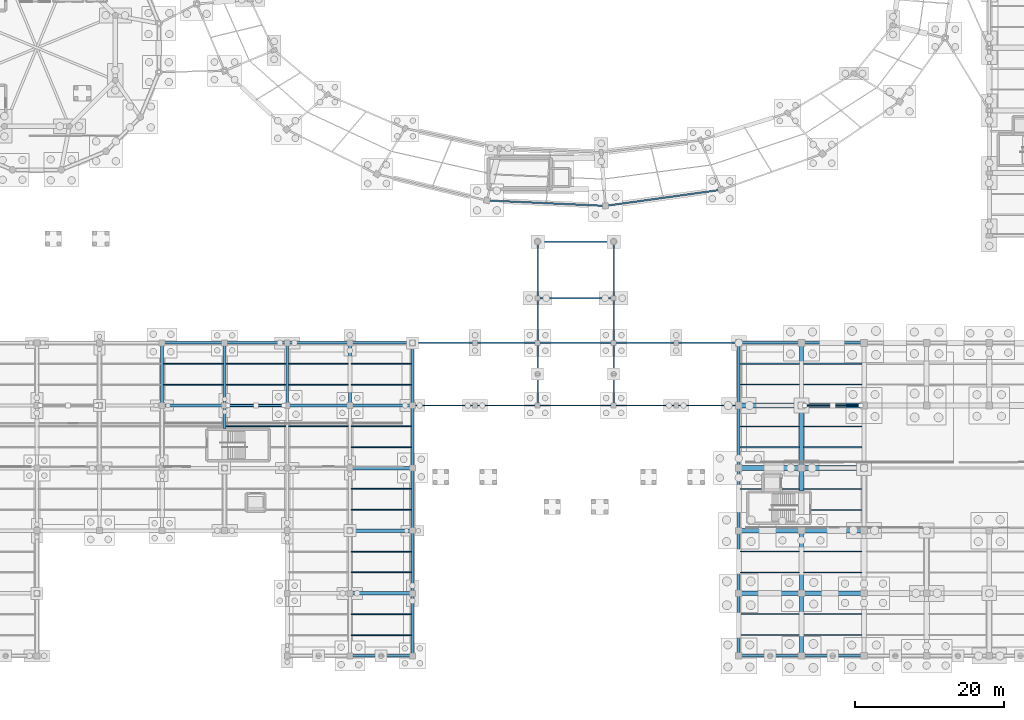
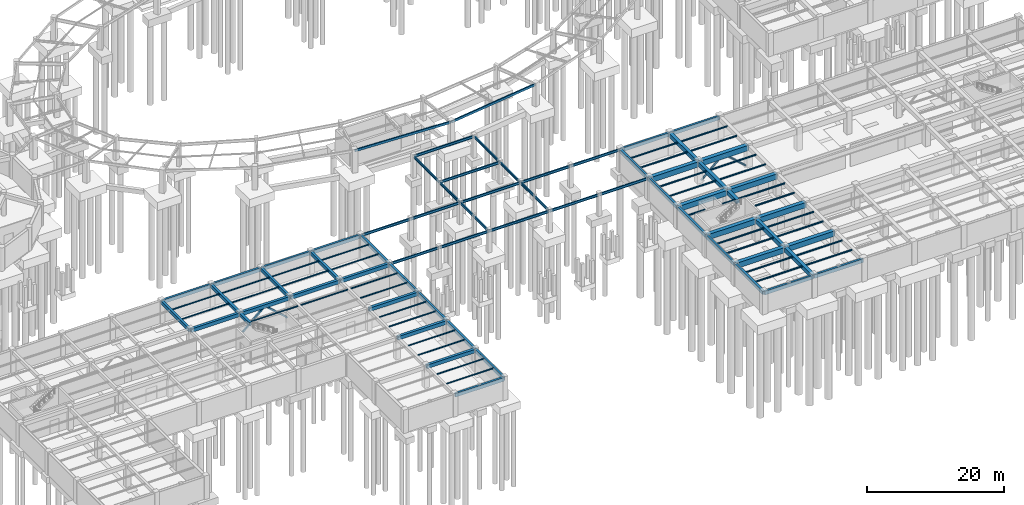
# One storey, part 16 of 38: 102 beams, 4 members.
"""IFC4 building model written with IfcOpenShell, lengths in metres."""

from ifc_helpers import new_model, si_unit, direction, frame, origin, origin_2d, place, context, subcontext, project, spatial, rectangle, hollow_rectangle, hollow_circle, i_section, extrude, material, material_profile, profile_set, type_object, element, save


model = new_model("IFC4")

# Units and contexts
model_context = context("Model", 3, precision=1e-05, world=origin(), true_north=direction((0.0, 1.0)))
body_context = subcontext(model_context, "Body", "Model", "MODEL_VIEW")
ifc_project = project(units=[si_unit("LENGTHUNIT", "METRE"), si_unit("AREAUNIT", "SQUARE_METRE"), si_unit("VOLUMEUNIT", "CUBIC_METRE"), si_unit("PLANEANGLEUNIT", "RADIAN"), si_unit("MASSUNIT", "GRAM", prefix="KILO"), si_unit("THERMODYNAMICTEMPERATUREUNIT", "KELVIN"), si_unit("POWERUNIT", "WATT")], contexts=[model_context])

# Site, building, storey
site_placement = place(None, origin())
site = spatial("IfcSite", under=ifc_project, at=site_placement, CompositionType="ELEMENT")
building_placement = place(site_placement, origin())
building = spatial("IfcBuilding", under=site, at=building_placement, Name="Darbajah Civic Hall", CompositionType="ELEMENT")
storey_placement = place(building_placement, frame((0.0, 0.0, -4.199951171875)))
storey = spatial("IfcBuildingStorey", under=building, at=storey_placement, Name="B01", CompositionType="ELEMENT", Elevation=-4.199951171875)

# Members
ifc_material_1 = material(Name="Steel S355JR", Category="steel")
ifc_material_profile_1 = material_profile(ifc_material_1, hollow_circle(Radius=0.161865234375, WallThickness=0.012451171875, at=origin_2d()), Name="CHS 323.9x12.5")
ifc_profile_set_1 = profile_set([ifc_material_profile_1], Name="Steel S355JR")
member_type_1 = type_object("IfcMemberType", Name="CHS 323.9x12.5", PredefinedType="BRACE", material=ifc_profile_set_1)
member_1_placement = place(storey_placement, frame((119.85009765625, 33.60009765625, 0.199951171875), z_axis=(0.742254478498, 0.0, 0.67011811582), x_axis=(0.0, 1.0, 0.0)))
element("IfcMember", 1, at=member_1_placement, inside=storey, type_object=member_type_1, Name="B01 lateral chevron brace BR-B01-1-L", PredefinedType="BRACE", context=body_context, shape_type="SweptSolid", body=[
    extrude(hollow_circle(Radius=0.161865234375, WallThickness=0.012451171875, at=origin_2d()), origin(), (0.0, 0.0, 1.0), 4.849853515625),
])
member_2_placement = place(storey_placement, frame((127.35009765625, 33.60009765625, 0.199951171875), z_axis=(-0.742277082557, 0.0, 0.670093077648), x_axis=(0.0, -1.0, 0.0)))
element("IfcMember", 2, at=member_2_placement, inside=storey, type_object=member_type_1, Name="B01 lateral chevron brace BR-B01-1-R", PredefinedType="BRACE", context=body_context, shape_type="SweptSolid", body=[
    extrude(hollow_circle(Radius=0.161865234375, WallThickness=0.012451171875, at=origin_2d()), origin(), (0.0, 0.0, 1.0), 4.85009765625),
])

# Beams
ifc_material_2 = material(Name="Concrete C45/55", Category="concrete")
ifc_material_profile_2 = material_profile(ifc_material_2, rectangle(XDim=0.39990234375, YDim=0.60009765625, at=origin_2d()), Name="RC BEAM 400x600")
ifc_profile_set_2 = profile_set([ifc_material_profile_2], Name="Concrete C45/55")
beam_type_1 = type_object("IfcBeamType", Name="RC BEAM 400x600", PredefinedType="BEAM", material=ifc_profile_set_2)
beam_1_placement = place(storey_placement, frame((33.60009765625, 33.679931640625, 3.639892578125), z_axis=(0.0, 1.0, 0.0), x_axis=(-1.0, 0.0, 0.0)))
element("IfcBeam", 3, at=beam_1_placement, inside=storey, type_object=beam_type_1, Name="B01 beam BM-4060", PredefinedType="BEAM", context=body_context, shape_type="SweptSolid", body=[
    extrude(rectangle(XDim=0.39990234375, YDim=0.60009765625, at=origin_2d()), origin(), (0.0, 0.0, 1.0), 8.239990234375),
])
beam_2_placement = place(storey_placement, frame((42.0, 30.5400390625, 3.639892578125), z_axis=(0.0, 1.0, 0.0), x_axis=(-1.0, 0.0, 0.0)))
element("IfcBeam", 4, at=beam_2_placement, inside=storey, type_object=beam_type_1, Name="B01 beam BM-4060", PredefinedType="BEAM", context=body_context, shape_type="SweptSolid", body=[
    extrude(rectangle(XDim=0.39990234375, YDim=0.60009765625, at=origin_2d()), origin(), (0.0, 0.0, 1.0), 2.97998046875),
])
for number, where, z_axis, x_axis, name in (
    (5, (42.0, 33.679931640625, 3.639892578125), (0.0, 1.0, 0.0), (-1.0, 0.0, 0.0), "B01 beam BM-4060"),
    (6, (50.39990234375, 33.679931640625, 3.639892578125), (0.0, 1.0, 0.0), (-1.0, 0.0, 0.0), "B01 beam BM-4060"),
    (7, (58.800048828125, 33.679931640625, 3.639892578125), (0.0, 1.0, 0.0), (-1.0, 0.0, 0.0), "B01 beam BM-4060"),
):
    element("IfcBeam", number, at=place(storey_placement, frame(where, z_axis=z_axis, x_axis=x_axis)), inside=storey, type_object=beam_type_1, Name=name, PredefinedType="BEAM", context=body_context, shape_type="SweptSolid", body=[
        extrude(rectangle(XDim=0.39990234375, YDim=0.60009765625, at=origin_2d()), origin(), (0.0, 0.0, 1.0), 8.239990234375),
    ])
ifc_material_profile_3 = material_profile(ifc_material_2, rectangle(XDim=0.449951171875, YDim=0.64990234375, at=origin_2d()), Name="RC BEAM 450x650")
ifc_profile_set_3 = profile_set([ifc_material_profile_3], Name="Concrete C45/55")
beam_type_2 = type_object("IfcBeamType", Name="RC BEAM 450x650", PredefinedType="BEAM", material=ifc_profile_set_3)
for number, where, z_axis, x_axis, name in (
    (8, (58.8798828125, 8.39990234375, 3.614990234375), (1.0, 0.0, 0.0), (0.0, 1.0, 0.0), "B01 beam BM-4565"),
    (9, (58.8798828125, 16.800048828125, 3.614990234375), (1.0, 0.0, 0.0), (0.0, 1.0, 0.0), "B01 beam BM-4565"),
    (10, (58.8798828125, 25.199951171875, 3.614990234375), (1.0, 0.0, 0.0), (0.0, 1.0, 0.0), "B01 beam BM-4565"),
):
    element("IfcBeam", number, at=place(storey_placement, frame(where, z_axis=z_axis, x_axis=x_axis)), inside=storey, type_object=beam_type_2, Name=name, PredefinedType="BEAM", context=body_context, shape_type="SweptSolid", body=[
        extrude(rectangle(XDim=0.449951171875, YDim=0.64990234375, at=origin_2d()), origin(), (0.0, 0.0, 1.0), 8.240234375),
    ])
for number, where, z_axis, x_axis, name in (
    (11, (33.679931640625, 33.60009765625, 3.614990234375), (1.0, 0.0, 0.0), (0.0, 1.0, 0.0), "B01 beam BM-4565"),
    (12, (42.080078125, 33.60009765625, 3.614990234375), (1.0, 0.0, 0.0), (0.0, 1.0, 0.0), "B01 beam BM-4565"),
    (13, (50.47998046875, 33.60009765625, 3.614990234375), (1.0, 0.0, 0.0), (0.0, 1.0, 0.0), "B01 beam BM-4565"),
):
    element("IfcBeam", number, at=place(storey_placement, frame(where, z_axis=z_axis, x_axis=x_axis)), inside=storey, type_object=beam_type_2, Name=name, PredefinedType="BEAM", context=body_context, shape_type="SweptSolid", body=[
        extrude(rectangle(XDim=0.449951171875, YDim=0.64990234375, at=origin_2d()), origin(), (0.0, 0.0, 1.0), 8.239990234375),
    ])
beam_3_placement = place(storey_placement, frame((58.8798828125, 33.60009765625, 3.614990234375), z_axis=(1.0, 0.0, 0.0), x_axis=(0.0, 1.0, 0.0)))
element("IfcBeam", 14, at=beam_3_placement, inside=storey, type_object=beam_type_2, Name="B01 beam BM-4565", PredefinedType="BEAM", context=body_context, shape_type="SweptSolid", body=[
    extrude(rectangle(XDim=0.449951171875, YDim=0.64990234375, at=origin_2d()), origin(), (0.0, 0.0, 1.0), 8.240234375),
])
ifc_material_profile_4 = material_profile(ifc_material_2, rectangle(XDim=0.550048828125, YDim=0.75, at=origin_2d()), Name="RC BEAM 550x750")
ifc_profile_set_4 = profile_set([ifc_material_profile_4], Name="Concrete C45/55")
beam_type_3 = type_object("IfcBeamType", Name="RC BEAM 550x750", PredefinedType="BEAM", material=ifc_profile_set_4)
for number, where, z_axis, x_axis, name in (
    (15, (119.39990234375, 0.080078125, 3.52490234375), (0.0, 1.0, 0.0), (-1.0, 0.0, 0.0), "B01 beam BM-5575"),
    (16, (119.39990234375, 8.47998046875, 3.52490234375), (0.0, 1.0, 0.0), (-1.0, 0.0, 0.0), "B01 beam BM-5575"),
):
    element("IfcBeam", number, at=place(storey_placement, frame(where, z_axis=z_axis, x_axis=x_axis)), inside=storey, type_object=beam_type_3, Name=name, PredefinedType="BEAM", context=body_context, shape_type="SweptSolid", body=[
        extrude(rectangle(XDim=0.550048828125, YDim=0.75, at=origin_2d()), origin(), (0.0, 0.0, 1.0), 8.239990234375),
    ])
beam_4_placement = place(storey_placement, frame((119.39990234375, 22.139892578125, 3.52490234375), z_axis=(0.0, 1.0, 0.0), x_axis=(-1.0, 0.0, 0.0)))
element("IfcBeam", 17, at=beam_4_placement, inside=storey, type_object=beam_type_3, Name="B01 beam BM-5575", PredefinedType="BEAM", context=body_context, shape_type="SweptSolid", body=[
    extrude(rectangle(XDim=0.550048828125, YDim=0.75, at=origin_2d()), origin(), (0.0, 0.0, 1.0), 2.980224609375),
])
for number, where, z_axis, x_axis, name in (
    (18, (119.39990234375, 25.280029296875, 3.52490234375), (0.0, 1.0, 0.0), (-1.0, 0.0, 0.0), "B01 beam BM-5575"),
    (19, (119.39990234375, 33.679931640625, 3.52490234375), (0.0, 1.0, 0.0), (-1.0, 0.0, 0.0), "B01 beam BM-5575"),
):
    element("IfcBeam", number, at=place(storey_placement, frame(where, z_axis=z_axis, x_axis=x_axis)), inside=storey, type_object=beam_type_3, Name=name, PredefinedType="BEAM", context=body_context, shape_type="SweptSolid", body=[
        extrude(rectangle(XDim=0.550048828125, YDim=0.75, at=origin_2d()), origin(), (0.0, 0.0, 1.0), 8.239990234375),
    ])
ifc_material_3 = material(Name="Concrete C50/60", Category="concrete")
ifc_material_profile_5 = material_profile(ifc_material_3, rectangle(XDim=0.64990234375, YDim=0.949951171875, at=origin_2d()), Name="RC GIRDER 650x950")
ifc_profile_set_5 = profile_set([ifc_material_profile_5], Name="Concrete C50/60")
beam_type_4 = type_object("IfcBeamType", Name="RC GIRDER 650x950", PredefinedType="BEAM", material=ifc_profile_set_5)
for number, where, z_axis, x_axis, name in (
    (20, (111.080078125, 8.39990234375, 3.425048828125), (1.0, 0.0, 0.0), (0.0, 1.0, 0.0), "B01 beam BG-6595"),
    (21, (119.47998046875, 8.39990234375, 3.425048828125), (1.0, 0.0, 0.0), (0.0, 1.0, 0.0), "B01 beam BG-6595"),
    (22, (111.080078125, 16.800048828125, 3.425048828125), (1.0, 0.0, 0.0), (0.0, 1.0, 0.0), "B01 beam BG-6595"),
    (23, (119.47998046875, 16.800048828125, 3.425048828125), (1.0, 0.0, 0.0), (0.0, 1.0, 0.0), "B01 beam BG-6595"),
    (24, (111.080078125, 25.199951171875, 3.425048828125), (1.0, 0.0, 0.0), (0.0, 1.0, 0.0), "B01 beam BG-6595"),
    (25, (119.47998046875, 25.199951171875, 3.425048828125), (1.0, 0.0, 0.0), (0.0, 1.0, 0.0), "B01 beam BG-6595"),
    (26, (111.080078125, 33.60009765625, 3.425048828125), (1.0, 0.0, 0.0), (0.0, 1.0, 0.0), "B01 beam BG-6595"),
    (27, (119.47998046875, 33.60009765625, 3.425048828125), (1.0, 0.0, 0.0), (0.0, 1.0, 0.0), "B01 beam BG-6595"),
):
    element("IfcBeam", number, at=place(storey_placement, frame(where, z_axis=z_axis, x_axis=x_axis)), inside=storey, type_object=beam_type_4, Name=name, PredefinedType="BEAM", context=body_context, shape_type="SweptSolid", body=[
        extrude(rectangle(XDim=0.64990234375, YDim=0.949951171875, at=origin_2d()), origin(), (0.0, 0.0, 1.0), 8.239990234375),
    ])
ifc_material_profile_6 = material_profile(ifc_material_2, rectangle(XDim=0.35009765625, YDim=0.64990234375, at=origin_2d()), Name="RC SPANDREL 350x650")
ifc_profile_set_6 = profile_set([ifc_material_profile_6], Name="Concrete C45/55")
beam_type_5 = type_object("IfcBeamType", Name="RC SPANDREL 350x650", PredefinedType="SPANDREL", material=ifc_profile_set_6)
for number, where, z_axis, x_axis, name in (
    (28, (111.080078125, 0.0, 3.574951171875), (1.0, 0.0, 0.0), (0.0, 1.0, 0.0), "B01 beam SP-3565"),
    (29, (119.47998046875, 0.0, 3.574951171875), (1.0, 0.0, 0.0), (0.0, 1.0, 0.0), "B01 beam SP-3565"),
    (30, (111.080078125, 42.0, 3.574951171875), (1.0, 0.0, 0.0), (0.0, 1.0, 0.0), "B01 beam SP-3565"),
    (31, (119.47998046875, 42.0, 3.574951171875), (1.0, 0.0, 0.0), (0.0, 1.0, 0.0), "B01 beam SP-3565"),
    (32, (111.0, 0.080078125, 3.574951171875), (0.0, 1.0, 0.0), (-1.0, 0.0, 0.0), "B01 beam SP-3565"),
    (33, (111.0, 8.47998046875, 3.574951171875), (0.0, 1.0, 0.0), (-1.0, 0.0, 0.0), "B01 beam SP-3565"),
):
    element("IfcBeam", number, at=place(storey_placement, frame(where, z_axis=z_axis, x_axis=x_axis)), inside=storey, type_object=beam_type_5, Name=name, PredefinedType="SPANDREL", context=body_context, shape_type="SweptSolid", body=[
        extrude(rectangle(XDim=0.35009765625, YDim=0.64990234375, at=origin_2d()), origin(), (0.0, 0.0, 1.0), 8.239990234375),
    ])
beam_5_placement = place(storey_placement, frame((111.0, 16.8798828125, 3.574951171875), z_axis=(0.0, 1.0, 0.0), x_axis=(-1.0, 0.0, 0.0)))
element("IfcBeam", 34, at=beam_5_placement, inside=storey, type_object=beam_type_5, Name="B01 beam SP-3565", PredefinedType="SPANDREL", context=body_context, shape_type="SweptSolid", body=[
    extrude(rectangle(XDim=0.35009765625, YDim=0.64990234375, at=origin_2d()), origin(), (0.0, 0.0, 1.0), 8.240234375),
])
for number, where, z_axis, x_axis, name in (
    (35, (111.0, 25.280029296875, 3.574951171875), (0.0, 1.0, 0.0), (-1.0, 0.0, 0.0), "B01 beam SP-3565"),
    (36, (111.0, 33.679931640625, 3.574951171875), (0.0, 1.0, 0.0), (-1.0, 0.0, 0.0), "B01 beam SP-3565"),
):
    element("IfcBeam", number, at=place(storey_placement, frame(where, z_axis=z_axis, x_axis=x_axis)), inside=storey, type_object=beam_type_5, Name=name, PredefinedType="SPANDREL", context=body_context, shape_type="SweptSolid", body=[
        extrude(rectangle(XDim=0.35009765625, YDim=0.64990234375, at=origin_2d()), origin(), (0.0, 0.0, 1.0), 8.239990234375),
    ])
beam_6_placement = place(storey_placement, frame((58.8798828125, 0.0, 3.614990234375), z_axis=(1.0, 0.0, 0.0), x_axis=(0.0, 1.0, 0.0)))
element("IfcBeam", 37, at=beam_6_placement, inside=storey, type_object=beam_type_5, Name="B01 beam SP-3565", PredefinedType="SPANDREL", context=body_context, shape_type="SweptSolid", body=[
    extrude(rectangle(XDim=0.35009765625, YDim=0.64990234375, at=origin_2d()), origin(), (0.0, 0.0, 1.0), 8.240234375),
])
for number, where, z_axis, x_axis, name in (
    (38, (33.679931640625, 42.0, 3.614990234375), (1.0, 0.0, 0.0), (0.0, 1.0, 0.0), "B01 beam SP-3565"),
    (39, (42.080078125, 42.0, 3.614990234375), (1.0, 0.0, 0.0), (0.0, 1.0, 0.0), "B01 beam SP-3565"),
    (40, (50.47998046875, 42.0, 3.614990234375), (1.0, 0.0, 0.0), (0.0, 1.0, 0.0), "B01 beam SP-3565"),
):
    element("IfcBeam", number, at=place(storey_placement, frame(where, z_axis=z_axis, x_axis=x_axis)), inside=storey, type_object=beam_type_5, Name=name, PredefinedType="SPANDREL", context=body_context, shape_type="SweptSolid", body=[
        extrude(rectangle(XDim=0.35009765625, YDim=0.64990234375, at=origin_2d()), origin(), (0.0, 0.0, 1.0), 8.239990234375),
    ])
beam_7_placement = place(storey_placement, frame((58.8798828125, 42.0, 3.614990234375), z_axis=(1.0, 0.0, 0.0), x_axis=(0.0, 1.0, 0.0)))
element("IfcBeam", 41, at=beam_7_placement, inside=storey, type_object=beam_type_5, Name="B01 beam SP-3565", PredefinedType="SPANDREL", context=body_context, shape_type="SweptSolid", body=[
    extrude(rectangle(XDim=0.35009765625, YDim=0.64990234375, at=origin_2d()), origin(), (0.0, 0.0, 1.0), 8.240234375),
])
for number, where, z_axis, x_axis, name in (
    (42, (67.199951171875, 0.080078125, 3.614990234375), (0.0, 1.0, 0.0), (-1.0, 0.0, 0.0), "B01 beam SP-3565"),
    (43, (67.199951171875, 8.47998046875, 3.614990234375), (0.0, 1.0, 0.0), (-1.0, 0.0, 0.0), "B01 beam SP-3565"),
):
    element("IfcBeam", number, at=place(storey_placement, frame(where, z_axis=z_axis, x_axis=x_axis)), inside=storey, type_object=beam_type_5, Name=name, PredefinedType="SPANDREL", context=body_context, shape_type="SweptSolid", body=[
        extrude(rectangle(XDim=0.35009765625, YDim=0.64990234375, at=origin_2d()), origin(), (0.0, 0.0, 1.0), 8.239990234375),
    ])
beam_8_placement = place(storey_placement, frame((67.199951171875, 16.8798828125, 3.614990234375), z_axis=(0.0, 1.0, 0.0), x_axis=(-1.0, 0.0, 0.0)))
element("IfcBeam", 44, at=beam_8_placement, inside=storey, type_object=beam_type_5, Name="B01 beam SP-3565", PredefinedType="SPANDREL", context=body_context, shape_type="SweptSolid", body=[
    extrude(rectangle(XDim=0.35009765625, YDim=0.64990234375, at=origin_2d()), origin(), (0.0, 0.0, 1.0), 8.240234375),
])
for number, where, z_axis, x_axis, name in (
    (45, (67.199951171875, 25.280029296875, 3.614990234375), (0.0, 1.0, 0.0), (-1.0, 0.0, 0.0), "B01 beam SP-3565"),
    (46, (67.199951171875, 33.679931640625, 3.614990234375), (0.0, 1.0, 0.0), (-1.0, 0.0, 0.0), "B01 beam SP-3565"),
):
    element("IfcBeam", number, at=place(storey_placement, frame(where, z_axis=z_axis, x_axis=x_axis)), inside=storey, type_object=beam_type_5, Name=name, PredefinedType="SPANDREL", context=body_context, shape_type="SweptSolid", body=[
        extrude(rectangle(XDim=0.35009765625, YDim=0.64990234375, at=origin_2d()), origin(), (0.0, 0.0, 1.0), 8.239990234375),
    ])
ifc_material_profile_7 = material_profile(ifc_material_1, hollow_rectangle(XDim=0.199951171875, YDim=0.39990234375, WallThickness=0.013916015625, at=origin_2d()), Name="RHS 400x200x14")
ifc_profile_set_7 = profile_set([ifc_material_profile_7], Name="Steel S355JR")
beam_type_6 = type_object("IfcBeamType", Name="RHS 400x200x14", PredefinedType="SPANDREL", material=ifc_profile_set_7)
beam_9_placement = place(storey_placement, frame((77.274169921875, 61.111572265625, 3.719970703125), z_axis=(0.998964928608, -0.04548704664, 0.0), x_axis=(0.04548704664, 0.998964928608, 0.0)))
element("IfcBeam", 47, at=beam_9_placement, inside=storey, type_object=beam_type_6, Name="B01 beam SP-RHS400", PredefinedType="SPANDREL", context=body_context, shape_type="SweptSolid", body=[
    extrude(hollow_rectangle(XDim=0.199951171875, YDim=0.39990234375, WallThickness=0.013916015625, at=origin_2d()), origin(), (0.0, 0.0, 1.0), 15.763671875),
])
beam_10_placement = place(storey_placement, frame((93.1806640625, 60.40185546875, 3.719970703125), z_axis=(0.990493107575, 0.137562363482, 0.0), x_axis=(-0.137562363482, 0.990493107575, 0.0)))
element("IfcBeam", 48, at=beam_10_placement, inside=storey, type_object=beam_type_6, Name="B01 beam SP-RHS400", PredefinedType="SPANDREL", context=body_context, shape_type="SweptSolid", body=[
    extrude(hollow_rectangle(XDim=0.199951171875, YDim=0.39990234375, WallThickness=0.013916015625, at=origin_2d()), origin(), (0.0, 0.0, 1.0), 15.50439453125),
])

# Members
ifc_material_profile_8 = material_profile(ifc_material_1, hollow_rectangle(XDim=0.25, YDim=0.25, WallThickness=0.012451171875, at=origin_2d()), Name="SHS 250x250x12.5")
ifc_profile_set_8 = profile_set([ifc_material_profile_8], Name="Steel S355JR")
member_type_2 = type_object("IfcMemberType", Name="SHS 250x250x12.5", PredefinedType="BRACE", material=ifc_profile_set_8)
member_3_placement = place(storey_placement, frame((42.449951171875, 33.60009765625, 0.199951171875), z_axis=(0.742277082557, 0.0, 0.670093077648), x_axis=(0.0, 1.0, 0.0)))
element("IfcMember", 49, at=member_3_placement, inside=storey, type_object=member_type_2, Name="B01 lateral chevron brace BR-B01-4-L", PredefinedType="BRACE", context=body_context, shape_type="SweptSolid", body=[
    extrude(hollow_rectangle(XDim=0.25, YDim=0.25, WallThickness=0.012451171875, at=origin_2d()), origin(), (0.0, 0.0, 1.0), 4.85009765625),
])
member_4_placement = place(storey_placement, frame((49.949951171875, 33.60009765625, 0.199951171875), z_axis=(-0.742254478498, 0.0, 0.67011811582), x_axis=(0.0, -1.0, 0.0)))
element("IfcMember", 50, at=member_4_placement, inside=storey, type_object=member_type_2, Name="B01 lateral chevron brace BR-B01-4-R", PredefinedType="BRACE", context=body_context, shape_type="SweptSolid", body=[
    extrude(hollow_rectangle(XDim=0.25, YDim=0.25, WallThickness=0.012451171875, at=origin_2d()), origin(), (0.0, 0.0, 1.0), 4.849853515625),
])

# Beams
ifc_material_profile_9 = material_profile(ifc_material_1, i_section(OverallWidth=0.1337890625, OverallDepth=0.206787109375, WebThickness=0.00634765625, FlangeThickness=0.009521484375, FilletRadius=0.007568359375, at=origin_2d()), Name="UB 203x133x30")
ifc_profile_set_9 = profile_set([ifc_material_profile_9], Name="Steel S355JR")
beam_type_7 = type_object("IfcBeamType", Name="UB 203x133x30", PredefinedType="JOIST", material=ifc_profile_set_9)
for number, where, z_axis, x_axis, name in (
    (51, (33.800048828125, 36.39990234375, 3.836669921875), (1.0, 0.0, 0.0), (0.0, 1.0, 0.0), "B01 beam SJ-203"),
    (52, (33.800048828125, 39.199951171875, 3.836669921875), (1.0, 0.0, 0.0), (0.0, 1.0, 0.0), "B01 beam SJ-203"),
    (53, (42.199951171875, 30.800048828125, 3.836669921875), (1.0, 0.0, 0.0), (0.0, 1.0, 0.0), "B01 beam SJ-203"),
    (54, (42.199951171875, 36.39990234375, 3.836669921875), (1.0, 0.0, 0.0), (0.0, 1.0, 0.0), "B01 beam SJ-203"),
    (55, (42.199951171875, 39.199951171875, 3.836669921875), (1.0, 0.0, 0.0), (0.0, 1.0, 0.0), "B01 beam SJ-203"),
    (56, (50.60009765625, 30.800048828125, 3.836669921875), (1.0, 0.0, 0.0), (0.0, 1.0, 0.0), "B01 beam SJ-203"),
    (57, (50.60009765625, 36.39990234375, 3.836669921875), (1.0, 0.0, 0.0), (0.0, 1.0, 0.0), "B01 beam SJ-203"),
    (58, (50.60009765625, 39.199951171875, 3.836669921875), (1.0, 0.0, 0.0), (0.0, 1.0, 0.0), "B01 beam SJ-203"),
):
    element("IfcBeam", number, at=place(storey_placement, frame(where, z_axis=z_axis, x_axis=x_axis)), inside=storey, type_object=beam_type_7, Name=name, PredefinedType="JOIST", context=body_context, shape_type="SweptSolid", body=[
        extrude(i_section(OverallWidth=0.1337890625, OverallDepth=0.206787109375, WebThickness=0.00634765625, FlangeThickness=0.009521484375, FilletRadius=0.007568359375, at=origin_2d()), origin(), (0.0, 0.0, 1.0), 8.0),
    ])
for number, where, z_axis, x_axis, name in (
    (59, (59.0, 2.800048828125, 3.836669921875), (1.0, 0.0, 0.0), (0.0, 1.0, 0.0), "B01 beam SJ-203"),
    (60, (59.0, 5.60009765625, 3.836669921875), (1.0, 0.0, 0.0), (0.0, 1.0, 0.0), "B01 beam SJ-203"),
    (61, (59.0, 11.199951171875, 3.836669921875), (1.0, 0.0, 0.0), (0.0, 1.0, 0.0), "B01 beam SJ-203"),
    (62, (59.0, 14.0, 3.836669921875), (1.0, 0.0, 0.0), (0.0, 1.0, 0.0), "B01 beam SJ-203"),
    (63, (59.0, 19.60009765625, 3.836669921875), (1.0, 0.0, 0.0), (0.0, 1.0, 0.0), "B01 beam SJ-203"),
    (64, (59.0, 22.39990234375, 3.836669921875), (1.0, 0.0, 0.0), (0.0, 1.0, 0.0), "B01 beam SJ-203"),
    (65, (59.0, 28.0, 3.836669921875), (1.0, 0.0, 0.0), (0.0, 1.0, 0.0), "B01 beam SJ-203"),
    (66, (59.0, 30.800048828125, 3.836669921875), (1.0, 0.0, 0.0), (0.0, 1.0, 0.0), "B01 beam SJ-203"),
    (67, (59.0, 36.39990234375, 3.836669921875), (1.0, 0.0, 0.0), (0.0, 1.0, 0.0), "B01 beam SJ-203"),
    (68, (59.0, 39.199951171875, 3.836669921875), (1.0, 0.0, 0.0), (0.0, 1.0, 0.0), "B01 beam SJ-203"),
):
    element("IfcBeam", number, at=place(storey_placement, frame(where, z_axis=z_axis, x_axis=x_axis)), inside=storey, type_object=beam_type_7, Name=name, PredefinedType="JOIST", context=body_context, shape_type="SweptSolid", body=[
        extrude(i_section(OverallWidth=0.1337890625, OverallDepth=0.206787109375, WebThickness=0.00634765625, FlangeThickness=0.009521484375, FilletRadius=0.007568359375, at=origin_2d()), origin(), (0.0, 0.0, 1.0), 8.02490234375),
    ])
ifc_material_profile_10 = material_profile(ifc_material_1, i_section(OverallWidth=0.146484375, OverallDepth=0.256103515625, WebThickness=0.00634765625, FlangeThickness=0.010986328125, FilletRadius=0.007568359375, at=origin_2d()), Name="UB 254x146x37")
ifc_profile_set_10 = profile_set([ifc_material_profile_10], Name="Steel S355JR")
beam_type_8 = type_object("IfcBeamType", Name="UB 254x146x37", PredefinedType="JOIST", material=ifc_profile_set_10)
for number, where, z_axis, x_axis, name in (
    (69, (111.175048828125, 2.800048828125, 3.77197265625), (1.0, 0.0, 0.0), (0.0, 1.0, 0.0), "B01 beam SJ-254"),
    (70, (111.175048828125, 5.60009765625, 3.77197265625), (1.0, 0.0, 0.0), (0.0, 1.0, 0.0), "B01 beam SJ-254"),
    (71, (111.175048828125, 11.199951171875, 3.77197265625), (1.0, 0.0, 0.0), (0.0, 1.0, 0.0), "B01 beam SJ-254"),
    (72, (111.175048828125, 14.0, 3.77197265625), (1.0, 0.0, 0.0), (0.0, 1.0, 0.0), "B01 beam SJ-254"),
):
    element("IfcBeam", number, at=place(storey_placement, frame(where, z_axis=z_axis, x_axis=x_axis)), inside=storey, type_object=beam_type_8, Name=name, PredefinedType="JOIST", context=body_context, shape_type="SweptSolid", body=[
        extrude(i_section(OverallWidth=0.146484375, OverallDepth=0.256103515625, WebThickness=0.00634765625, FlangeThickness=0.010986328125, FilletRadius=0.007568359375, at=origin_2d()), origin(), (0.0, 0.0, 1.0), 7.949951171875),
    ])
beam_11_placement = place(storey_placement, frame((111.175048828125, 22.39990234375, 3.77197265625), z_axis=(1.0, 0.0, 0.0), x_axis=(0.0, 1.0, 0.0)))
element("IfcBeam", 73, at=beam_11_placement, inside=storey, type_object=beam_type_8, Name="B01 beam SJ-254", PredefinedType="JOIST", context=body_context, shape_type="SweptSolid", body=[
    extrude(i_section(OverallWidth=0.146484375, OverallDepth=0.256103515625, WebThickness=0.00634765625, FlangeThickness=0.010986328125, FilletRadius=0.007568359375, at=origin_2d()), origin(), (0.0, 0.0, 1.0), 2.905029296875),
])
beam_12_placement = place(storey_placement, frame((116.820068359375, 22.39990234375, 3.77197265625), z_axis=(1.0, 0.0, 0.0), x_axis=(0.0, 1.0, 0.0)))
element("IfcBeam", 74, at=beam_12_placement, inside=storey, type_object=beam_type_8, Name="B01 beam SJ-254", PredefinedType="JOIST", context=body_context, shape_type="SweptSolid", body=[
    extrude(i_section(OverallWidth=0.146484375, OverallDepth=0.256103515625, WebThickness=0.00634765625, FlangeThickness=0.010986328125, FilletRadius=0.007568359375, at=origin_2d()), origin(), (0.0, 0.0, 1.0), 2.304931640625),
])
for number, where, z_axis, x_axis, name in (
    (75, (111.175048828125, 28.0, 3.77197265625), (1.0, 0.0, 0.0), (0.0, 1.0, 0.0), "B01 beam SJ-254"),
    (76, (111.175048828125, 30.800048828125, 3.77197265625), (1.0, 0.0, 0.0), (0.0, 1.0, 0.0), "B01 beam SJ-254"),
    (77, (111.175048828125, 36.39990234375, 3.77197265625), (1.0, 0.0, 0.0), (0.0, 1.0, 0.0), "B01 beam SJ-254"),
    (78, (111.175048828125, 39.199951171875, 3.77197265625), (1.0, 0.0, 0.0), (0.0, 1.0, 0.0), "B01 beam SJ-254"),
):
    element("IfcBeam", number, at=place(storey_placement, frame(where, z_axis=z_axis, x_axis=x_axis)), inside=storey, type_object=beam_type_8, Name=name, PredefinedType="JOIST", context=body_context, shape_type="SweptSolid", body=[
        extrude(i_section(OverallWidth=0.146484375, OverallDepth=0.256103515625, WebThickness=0.00634765625, FlangeThickness=0.010986328125, FilletRadius=0.007568359375, at=origin_2d()), origin(), (0.0, 0.0, 1.0), 7.949951171875),
    ])
for number, where, z_axis, x_axis, name in (
    (79, (119.675048828125, 2.800048828125, 3.77197265625), (1.0, 0.0, 0.0), (0.0, 1.0, 0.0), "B01 beam SJ-254"),
    (80, (119.675048828125, 5.60009765625, 3.77197265625), (1.0, 0.0, 0.0), (0.0, 1.0, 0.0), "B01 beam SJ-254"),
    (81, (119.675048828125, 11.199951171875, 3.77197265625), (1.0, 0.0, 0.0), (0.0, 1.0, 0.0), "B01 beam SJ-254"),
    (82, (119.675048828125, 14.0, 3.77197265625), (1.0, 0.0, 0.0), (0.0, 1.0, 0.0), "B01 beam SJ-254"),
):
    element("IfcBeam", number, at=place(storey_placement, frame(where, z_axis=z_axis, x_axis=x_axis)), inside=storey, type_object=beam_type_8, Name=name, PredefinedType="JOIST", context=body_context, shape_type="SweptSolid", body=[
        extrude(i_section(OverallWidth=0.146484375, OverallDepth=0.256103515625, WebThickness=0.00634765625, FlangeThickness=0.010986328125, FilletRadius=0.007568359375, at=origin_2d()), origin(), (0.0, 0.0, 1.0), 7.849853515625),
    ])
beam_13_placement = place(storey_placement, frame((120.739990234375, 19.60009765625, 3.77197265625), z_axis=(1.0, 0.0, 0.0), x_axis=(0.0, 1.0, 0.0)))
element("IfcBeam", 83, at=beam_13_placement, inside=storey, type_object=beam_type_8, Name="B01 beam SJ-254", PredefinedType="JOIST", context=body_context, shape_type="SweptSolid", body=[
    extrude(i_section(OverallWidth=0.146484375, OverallDepth=0.256103515625, WebThickness=0.00634765625, FlangeThickness=0.010986328125, FilletRadius=0.007568359375, at=origin_2d()), origin(), (0.0, 0.0, 1.0), 6.784912109375),
])
for number, where, z_axis, x_axis, name in (
    (84, (119.675048828125, 22.39990234375, 3.77197265625), (1.0, 0.0, 0.0), (0.0, 1.0, 0.0), "B01 beam SJ-254"),
    (85, (119.675048828125, 28.0, 3.77197265625), (1.0, 0.0, 0.0), (0.0, 1.0, 0.0), "B01 beam SJ-254"),
    (86, (119.675048828125, 30.800048828125, 3.77197265625), (1.0, 0.0, 0.0), (0.0, 1.0, 0.0), "B01 beam SJ-254"),
    (87, (119.675048828125, 36.39990234375, 3.77197265625), (1.0, 0.0, 0.0), (0.0, 1.0, 0.0), "B01 beam SJ-254"),
    (88, (119.675048828125, 39.199951171875, 3.77197265625), (1.0, 0.0, 0.0), (0.0, 1.0, 0.0), "B01 beam SJ-254"),
):
    element("IfcBeam", number, at=place(storey_placement, frame(where, z_axis=z_axis, x_axis=x_axis)), inside=storey, type_object=beam_type_8, Name=name, PredefinedType="JOIST", context=body_context, shape_type="SweptSolid", body=[
        extrude(i_section(OverallWidth=0.146484375, OverallDepth=0.256103515625, WebThickness=0.00634765625, FlangeThickness=0.010986328125, FilletRadius=0.007568359375, at=origin_2d()), origin(), (0.0, 0.0, 1.0), 7.849853515625),
    ])
ifc_material_profile_11 = material_profile(ifc_material_1, i_section(OverallWidth=0.1904296875, OverallDepth=0.45703125, WebThickness=0.009033203125, FlangeThickness=0.014404296875, FilletRadius=0.01025390625, at=origin_2d()), Name="UB 457x191x74")
ifc_profile_set_11 = profile_set([ifc_material_profile_11], Name="Steel S355JR")
beam_type_9 = type_object("IfcBeamType", Name="UB 457x191x74", PredefinedType="BEAM", material=ifc_profile_set_11)
for number, where, z_axis, x_axis, name in (
    (89, (67.260009765625, 33.60009765625, 3.661376953125), (1.0, 0.0, 0.0), (0.0, 1.0, 0.0), "B01 beam SB-457"),
    (90, (75.659912109375, 33.60009765625, 3.661376953125), (1.0, 0.0, 0.0), (0.0, 1.0, 0.0), "B01 beam SB-457"),
    (91, (67.260009765625, 42.0, 3.661376953125), (1.0, 0.0, 0.0), (0.0, 1.0, 0.0), "B01 beam SB-457"),
    (92, (75.659912109375, 42.0, 3.661376953125), (1.0, 0.0, 0.0), (0.0, 1.0, 0.0), "B01 beam SB-457"),
    (93, (94.260009765625, 33.60009765625, 3.661376953125), (1.0, 0.0, 0.0), (0.0, 1.0, 0.0), "B01 beam SB-457"),
    (94, (102.659912109375, 33.60009765625, 3.661376953125), (1.0, 0.0, 0.0), (0.0, 1.0, 0.0), "B01 beam SB-457"),
    (95, (94.260009765625, 42.0, 3.661376953125), (1.0, 0.0, 0.0), (0.0, 1.0, 0.0), "B01 beam SB-457"),
    (96, (102.659912109375, 42.0, 3.661376953125), (1.0, 0.0, 0.0), (0.0, 1.0, 0.0), "B01 beam SB-457"),
):
    element("IfcBeam", number, at=place(storey_placement, frame(where, z_axis=z_axis, x_axis=x_axis)), inside=storey, type_object=beam_type_9, Name=name, PredefinedType="BEAM", context=body_context, shape_type="SweptSolid", body=[
        extrude(i_section(OverallWidth=0.1904296875, OverallDepth=0.45703125, WebThickness=0.009033203125, FlangeThickness=0.014404296875, FilletRadius=0.01025390625, at=origin_2d()), origin(), (0.0, 0.0, 1.0), 8.280029296875),
    ])
for number, where, z_axis, x_axis, name in (
    (97, (84.06005859375, 33.60009765625, 3.661376953125), (1.0, 0.0, 0.0), (0.0, 1.0, 0.0), "B01 beam SB-457"),
    (98, (84.06005859375, 42.0, 3.661376953125), (1.0, 0.0, 0.0), (0.0, 1.0, 0.0), "B01 beam SB-457"),
    (99, (84.06005859375, 48.0, 3.661376953125), (1.0, 0.0, 0.0), (0.0, 1.0, 0.0), "B01 beam SB-457"),
    (100, (84.06005859375, 55.60009765625, 3.661376953125), (1.0, 0.0, 0.0), (0.0, 1.0, 0.0), "B01 beam SB-457"),
):
    element("IfcBeam", number, at=place(storey_placement, frame(where, z_axis=z_axis, x_axis=x_axis)), inside=storey, type_object=beam_type_9, Name=name, PredefinedType="BEAM", context=body_context, shape_type="SweptSolid", body=[
        extrude(i_section(OverallWidth=0.1904296875, OverallDepth=0.45703125, WebThickness=0.009033203125, FlangeThickness=0.014404296875, FilletRadius=0.01025390625, at=origin_2d()), origin(), (0.0, 0.0, 1.0), 10.079833984375),
    ])
beam_14_placement = place(storey_placement, frame((84.0, 33.659912109375, 3.661376953125), z_axis=(0.0, 1.0, 0.0), x_axis=(-1.0, 0.0, 0.0)))
element("IfcBeam", 101, at=beam_14_placement, inside=storey, type_object=beam_type_9, Name="B01 beam SB-457", PredefinedType="BEAM", context=body_context, shape_type="SweptSolid", body=[
    extrude(i_section(OverallWidth=0.1904296875, OverallDepth=0.45703125, WebThickness=0.009033203125, FlangeThickness=0.014404296875, FilletRadius=0.01025390625, at=origin_2d()), origin(), (0.0, 0.0, 1.0), 8.280029296875),
])
beam_15_placement = place(storey_placement, frame((84.0, 42.06005859375, 3.661376953125), z_axis=(0.0, 1.0, 0.0), x_axis=(-1.0, 0.0, 0.0)))
element("IfcBeam", 102, at=beam_15_placement, inside=storey, type_object=beam_type_9, Name="B01 beam SB-457", PredefinedType="BEAM", context=body_context, shape_type="SweptSolid", body=[
    extrude(i_section(OverallWidth=0.1904296875, OverallDepth=0.45703125, WebThickness=0.009033203125, FlangeThickness=0.014404296875, FilletRadius=0.01025390625, at=origin_2d()), origin(), (0.0, 0.0, 1.0), 5.8798828125),
])
beam_16_placement = place(storey_placement, frame((84.0, 48.06005859375, 3.661376953125), z_axis=(0.0, 1.0, 0.0), x_axis=(-1.0, 0.0, 0.0)))
element("IfcBeam", 103, at=beam_16_placement, inside=storey, type_object=beam_type_9, Name="B01 beam SB-457", PredefinedType="BEAM", context=body_context, shape_type="SweptSolid", body=[
    extrude(i_section(OverallWidth=0.1904296875, OverallDepth=0.45703125, WebThickness=0.009033203125, FlangeThickness=0.014404296875, FilletRadius=0.01025390625, at=origin_2d()), origin(), (0.0, 0.0, 1.0), 7.47998046875),
])
beam_17_placement = place(storey_placement, frame((94.199951171875, 33.659912109375, 3.661376953125), z_axis=(0.0, 1.0, 0.0), x_axis=(-1.0, 0.0, 0.0)))
element("IfcBeam", 104, at=beam_17_placement, inside=storey, type_object=beam_type_9, Name="B01 beam SB-457", PredefinedType="BEAM", context=body_context, shape_type="SweptSolid", body=[
    extrude(i_section(OverallWidth=0.1904296875, OverallDepth=0.45703125, WebThickness=0.009033203125, FlangeThickness=0.014404296875, FilletRadius=0.01025390625, at=origin_2d()), origin(), (0.0, 0.0, 1.0), 8.280029296875),
])
beam_18_placement = place(storey_placement, frame((94.199951171875, 42.06005859375, 3.661376953125), z_axis=(0.0, 1.0, 0.0), x_axis=(-1.0, 0.0, 0.0)))
element("IfcBeam", 105, at=beam_18_placement, inside=storey, type_object=beam_type_9, Name="B01 beam SB-457", PredefinedType="BEAM", context=body_context, shape_type="SweptSolid", body=[
    extrude(i_section(OverallWidth=0.1904296875, OverallDepth=0.45703125, WebThickness=0.009033203125, FlangeThickness=0.014404296875, FilletRadius=0.01025390625, at=origin_2d()), origin(), (0.0, 0.0, 1.0), 5.8798828125),
])
beam_19_placement = place(storey_placement, frame((94.199951171875, 48.06005859375, 3.661376953125), z_axis=(0.0, 1.0, 0.0), x_axis=(-1.0, 0.0, 0.0)))
element("IfcBeam", 106, at=beam_19_placement, inside=storey, type_object=beam_type_9, Name="B01 beam SB-457", PredefinedType="BEAM", context=body_context, shape_type="SweptSolid", body=[
    extrude(i_section(OverallWidth=0.1904296875, OverallDepth=0.45703125, WebThickness=0.009033203125, FlangeThickness=0.014404296875, FilletRadius=0.01025390625, at=origin_2d()), origin(), (0.0, 0.0, 1.0), 7.47998046875),
])

save(model, "model.ifc")
